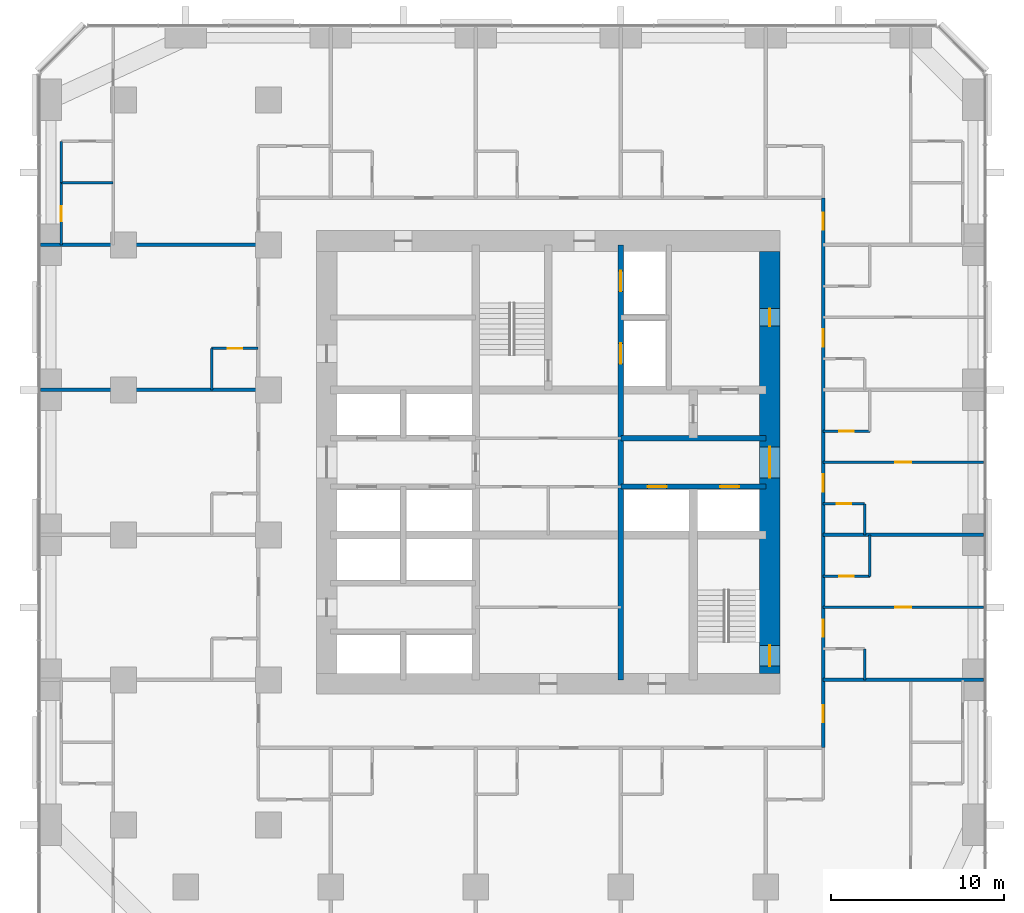
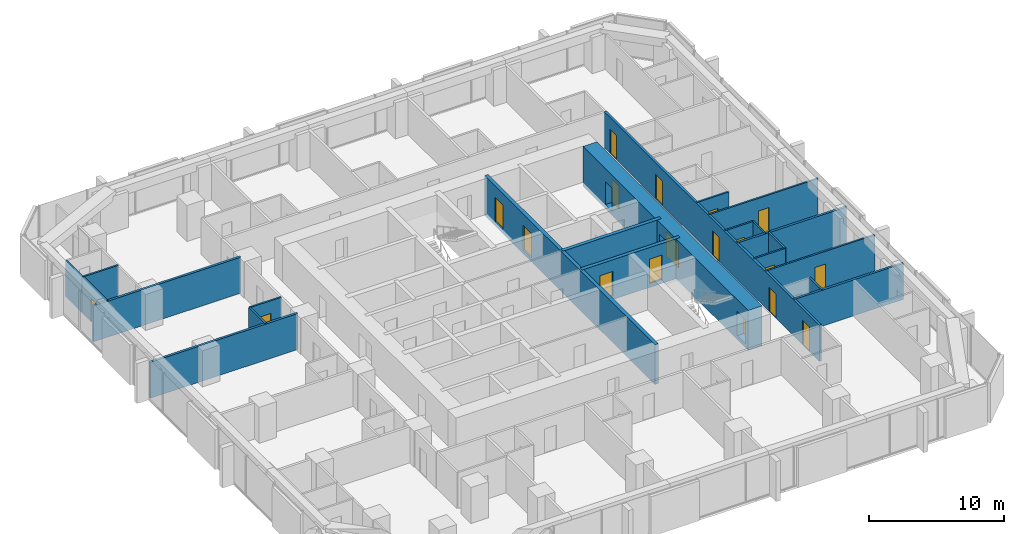
# One storey, part 10 of 13: 22 walls, 19 doors, 19 openings.
"""IFC4 building model written with IfcOpenShell, lengths in metres."""

from ifc_helpers import new_model, si_unit, direction, frame, frame_2d, origin, place, context, subcontext, project, spatial, rectangle, extrude, material, layer, layer_set, type_object, element, fill, save


model = new_model("IFC4")

# Units and contexts
model_context = context("Model", 3, precision=1e-05, world=origin(), true_north=direction((0.0, 1.0)))
body_context = subcontext(model_context, "Body", "Model", "MODEL_VIEW")
ifc_project = project(units=[si_unit("LENGTHUNIT", "METRE"), si_unit("AREAUNIT", "SQUARE_METRE"), si_unit("VOLUMEUNIT", "CUBIC_METRE"), si_unit("PLANEANGLEUNIT", "RADIAN"), si_unit("MASSUNIT", "GRAM", prefix="KILO")], contexts=[model_context])

# Site, building, storey
site_placement = place(None, origin())
site = spatial("IfcSite", under=ifc_project, at=site_placement, CompositionType="ELEMENT")
building_placement = place(site_placement, origin())
building = spatial("IfcBuilding", under=site, at=building_placement, Name="Dunama Terrace Hotel", CompositionType="ELEMENT")
storey_placement = place(building_placement, frame((0.0, 0.0, 111.60009765625)))
storey = spatial("IfcBuildingStorey", under=building, at=storey_placement, Name="L28", CompositionType="ELEMENT", Elevation=111.60009765625)

# Wall, opening, door
ifc_material_1 = material(Name="Gypsum board partition", Category="masonry")
ifc_layer_1 = layer(ifc_material_1, 0.14990234375)
ifc_layer_set_1 = layer_set([ifc_layer_1], Name="Bathroom partition 150")
wall_type_1 = type_object("IfcWallType", Name="Bathroom partition 150", PredefinedType="PARTITIONING", material=ifc_layer_set_1)
wall_1_placement = place(storey_placement, frame((1.199951171875, 42.0, 0.0), z_axis=(0.0, 0.0, 1.0), x_axis=(0.0, 1.0, 0.0)))
wall_1 = element("IfcWall", 1, at=wall_1_placement, inside=storey, type_object=wall_type_1, Name="Bathroom partition 150 L28", PredefinedType="PARTITIONING", context=body_context, shape_type="SweptSolid", body=[
    extrude(rectangle(XDim=3.60009765625, YDim=0.14990234375, at=frame_2d((1.800048828125, 0.0))), origin(), (0.0, 0.0, 1.0), 3.25),
])
opening_1_placement = place(wall_1_placement, frame((1.375, 0.0, 0.0)))
opening_1 = element("IfcOpeningElement", 2, at=opening_1_placement, cuts=wall_1, Name="Opening L28-29-059", PredefinedType="OPENING", context=body_context, shape_type="SweptSolid", body=[
    extrude(rectangle(XDim=0.85009765625, YDim=2.10009765625, at=frame_2d((0.425048828125, 1.050048828125))), frame((0.0, 0.0849609375, 0.0), z_axis=(0.0, -1.0, 0.0), x_axis=(1.0, 0.0, 0.0)), (0.0, 0.0, 1.0), 0.169921875),
])
ifc_material_2 = material(Name="Timber door with steel frame", Category="steel")
door_type_1 = type_object("IfcDoorType", Name="Bathroom door 850", OperationType="SINGLE_SWING_LEFT", PredefinedType="DOOR", material=ifc_material_2)
door_1_placement = place(opening_1_placement, frame((0.85009765625, 0.0, 0.0), z_axis=(0.0, 0.0, 1.0), x_axis=(-1.0, 0.0, 0.0)))
door_1 = element("IfcDoor", 3, at=door_1_placement, inside=storey, type_object=door_type_1, Name="Door to en-suite bathroom L28-29-059, type D2", OperationType="SINGLE_SWING_RIGHT", OverallHeight=2.10009765625, OverallWidth=0.85009765625, PredefinedType="DOOR", context=body_context, shape_type="SweptSolid", body=[
    extrude(rectangle(XDim=0.85009765625, YDim=2.10009765625, at=frame_2d((0.425048828125, 1.050048828125))), frame((0.0, 0.025146484375, 0.0), z_axis=(0.0, -1.0, 0.0), x_axis=(1.0, 0.0, 0.0)), (0.0, 0.0, 1.0), 0.050048828125),
])
fill(opening_1, door_1)

# Walls
wall_2_placement = place(storey_placement, frame((9.89990234375, 33.60009765625, 0.0), z_axis=(0.0, 0.0, 1.0), x_axis=(0.0, 1.0, 0.0)))
element("IfcWall", 4, at=wall_2_placement, inside=storey, type_object=wall_type_1, Name="Bathroom partition 150 L28", PredefinedType="PARTITIONING", context=body_context, shape_type="SweptSolid", body=[
    extrude(rectangle(XDim=2.39990234375, YDim=0.14990234375, at=frame_2d((1.199951171875, 0.0))), origin(), (0.0, 0.0, 1.0), 3.25),
])
for number, where, z_axis, x_axis, name in (
    (5, (47.72509765625, 16.800048828125, 0.0), (0.0, 0.0, 1.0), (0.0, 1.0, 0.0), "Bathroom partition 150 L28"),
    (6, (47.72509765625, 25.199951171875, 0.0), (0.0, 0.0, 1.0), (0.0, 1.0, 0.0), "Bathroom partition 150 L28"),
):
    element("IfcWall", number, at=place(storey_placement, frame(where, z_axis=z_axis, x_axis=x_axis)), inside=storey, type_object=wall_type_1, Name=name, PredefinedType="PARTITIONING", context=body_context, shape_type="SweptSolid", body=[
        extrude(rectangle(XDim=1.800048828125, YDim=0.14990234375, at=frame_2d((0.89990234375, 0.0))), origin(), (0.0, 0.0, 1.0), 3.25),
    ])
wall_3_placement = place(storey_placement, frame((48.02490234375, 22.800048828125, 0.0), z_axis=(0.0, 0.0, 1.0), x_axis=(0.0, 1.0, 0.0)))
element("IfcWall", 7, at=wall_3_placement, inside=storey, type_object=wall_type_1, Name="Bathroom partition 150 L28", PredefinedType="PARTITIONING", context=body_context, shape_type="SweptSolid", body=[
    extrude(rectangle(XDim=2.39990234375, YDim=0.14990234375, at=frame_2d((1.199951171875, 0.0))), origin(), (0.0, 0.0, 1.0), 3.25),
])

# Wall, opening, door
wall_4_placement = place(storey_placement, frame((45.324951171875, 22.800048828125, 0.0), z_axis=(0.0, 0.0, 1.0), x_axis=(1.0, 0.0, 0.0)))
wall_4 = element("IfcWall", 8, at=wall_4_placement, inside=storey, type_object=wall_type_1, Name="Bathroom partition 150 L28", PredefinedType="PARTITIONING", context=body_context, shape_type="SweptSolid", body=[
    extrude(rectangle(XDim=2.699951171875, YDim=0.14990234375, at=frame_2d((1.35009765625, 0.0))), origin(), (0.0, 0.0, 1.0), 3.25),
])
opening_2_placement = place(wall_4_placement, frame((0.925048828125, 0.0, 0.0)))
opening_2 = element("IfcOpeningElement", 9, at=opening_2_placement, cuts=wall_4, Name="Opening L28-29-020", PredefinedType="OPENING", context=body_context, shape_type="SweptSolid", body=[
    extrude(rectangle(XDim=0.85009765625, YDim=2.10009765625, at=frame_2d((0.425048828125, 1.050048828125))), frame((0.0, 0.0849609375, 0.0), z_axis=(0.0, -1.0, 0.0), x_axis=(1.0, 0.0, 0.0)), (0.0, 0.0, 1.0), 0.169921875),
])
door_2_placement = place(opening_2_placement, origin())
door_2 = element("IfcDoor", 10, at=door_2_placement, inside=storey, type_object=door_type_1, Name="Door to en-suite bathroom L28-29-020, type D2", OperationType="SINGLE_SWING_LEFT", OverallHeight=2.10009765625, OverallWidth=0.85009765625, PredefinedType="DOOR", context=body_context, shape_type="SweptSolid", body=[
    extrude(rectangle(XDim=0.85009765625, YDim=2.10009765625, at=frame_2d((0.425048828125, 1.050048828125))), frame((0.0, 0.02490234375, 0.0), z_axis=(0.0, -1.0, 0.0), x_axis=(1.0, 0.0, 0.0)), (0.0, 0.0, 1.0), 0.050048828125),
])
fill(opening_2, door_2)

wall_5_placement = place(storey_placement, frame((45.324951171875, 27.0, 0.0), z_axis=(0.0, 0.0, 1.0), x_axis=(1.0, 0.0, 0.0)))
wall_5 = element("IfcWall", 11, at=wall_5_placement, inside=storey, type_object=wall_type_1, Name="Bathroom partition 150 L28", PredefinedType="PARTITIONING", context=body_context, shape_type="SweptSolid", body=[
    extrude(rectangle(XDim=2.400146484375, YDim=0.14990234375, at=frame_2d((1.2001953125, 0.0))), origin(), (0.0, 0.0, 1.0), 3.25),
])
opening_3_placement = place(wall_5_placement, frame((0.77490234375, 0.0, 0.0)))
opening_3 = element("IfcOpeningElement", 12, at=opening_3_placement, cuts=wall_5, Name="Opening L28-29-022", PredefinedType="OPENING", context=body_context, shape_type="SweptSolid", body=[
    extrude(rectangle(XDim=0.85009765625, YDim=2.10009765625, at=frame_2d((0.425048828125, 1.050048828125))), frame((0.0, 0.0849609375, 0.0), z_axis=(0.0, -1.0, 0.0), x_axis=(1.0, 0.0, 0.0)), (0.0, 0.0, 1.0), 0.169921875),
])
door_3_placement = place(opening_3_placement, frame((0.85009765625, 0.0, 0.0), z_axis=(0.0, 0.0, 1.0), x_axis=(-1.0, 0.0, 0.0)))
door_3 = element("IfcDoor", 13, at=door_3_placement, inside=storey, type_object=door_type_1, Name="Door to powder room L28-29-022, type D2", OperationType="SINGLE_SWING_RIGHT", OverallHeight=2.10009765625, OverallWidth=0.85009765625, PredefinedType="DOOR", context=body_context, shape_type="SweptSolid", body=[
    extrude(rectangle(XDim=0.85009765625, YDim=2.10009765625, at=frame_2d((0.425048828125, 1.050048828125))), frame((0.0, 0.025146484375, 0.0), z_axis=(0.0, -1.0, 0.0), x_axis=(1.0, 0.0, 0.0)), (0.0, 0.0, 1.0), 0.050048828125),
])
fill(opening_3, door_3)

wall_6_placement = place(storey_placement, frame((45.324951171875, 31.199951171875, 0.0), z_axis=(0.0, 0.0, 1.0), x_axis=(1.0, 0.0, 0.0)))
wall_6 = element("IfcWall", 14, at=wall_6_placement, inside=storey, type_object=wall_type_1, Name="Bathroom partition 150 L28", PredefinedType="PARTITIONING", context=body_context, shape_type="SweptSolid", body=[
    extrude(rectangle(XDim=2.699951171875, YDim=0.14990234375, at=frame_2d((1.35009765625, 0.0))), origin(), (0.0, 0.0, 1.0), 3.25),
])
opening_4_placement = place(wall_6_placement, frame((0.925048828125, 0.0, 0.0)))
opening_4 = element("IfcOpeningElement", 15, at=opening_4_placement, cuts=wall_6, Name="Opening L28-29-024", PredefinedType="OPENING", context=body_context, shape_type="SweptSolid", body=[
    extrude(rectangle(XDim=0.85009765625, YDim=2.10009765625, at=frame_2d((0.425048828125, 1.050048828125))), frame((0.0, 0.0849609375, 0.0), z_axis=(0.0, -1.0, 0.0), x_axis=(1.0, 0.0, 0.0)), (0.0, 0.0, 1.0), 0.169921875),
])
door_4_placement = place(opening_4_placement, origin())
door_4 = element("IfcDoor", 16, at=door_4_placement, inside=storey, type_object=door_type_1, Name="Door to en-suite bathroom L28-29-024, type D2", OperationType="SINGLE_SWING_LEFT", OverallHeight=2.10009765625, OverallWidth=0.85009765625, PredefinedType="DOOR", context=body_context, shape_type="SweptSolid", body=[
    extrude(rectangle(XDim=0.85009765625, YDim=2.10009765625, at=frame_2d((0.425048828125, 1.050048828125))), frame((0.0, 0.02490234375, 0.0), z_axis=(0.0, -1.0, 0.0), x_axis=(1.0, 0.0, 0.0)), (0.0, 0.0, 1.0), 0.050048828125),
])
fill(opening_4, door_4)

wall_7_placement = place(storey_placement, frame((9.89990234375, 36.0, 0.0), z_axis=(0.0, 0.0, 1.0), x_axis=(1.0, 0.0, 0.0)))
wall_7 = element("IfcWall", 17, at=wall_7_placement, inside=storey, type_object=wall_type_1, Name="Bathroom partition 150 L28", PredefinedType="PARTITIONING", context=body_context, shape_type="SweptSolid", body=[
    extrude(rectangle(XDim=2.7001953125, YDim=0.14990234375, at=frame_2d((1.35009765625, 0.0))), origin(), (0.0, 0.0, 1.0), 3.25),
])
opening_5_placement = place(wall_7_placement, frame((0.925048828125, 0.0, 0.0)))
opening_5 = element("IfcOpeningElement", 18, at=opening_5_placement, cuts=wall_7, Name="Opening L28-29-040", PredefinedType="OPENING", context=body_context, shape_type="SweptSolid", body=[
    extrude(rectangle(XDim=0.85009765625, YDim=2.10009765625, at=frame_2d((0.425048828125, 1.050048828125))), frame((0.0, 0.0849609375, 0.0), z_axis=(0.0, -1.0, 0.0), x_axis=(1.0, 0.0, 0.0)), (0.0, 0.0, 1.0), 0.169921875),
])
door_5_placement = place(opening_5_placement, frame((0.85009765625, 0.0, 0.0), z_axis=(0.0, 0.0, 1.0), x_axis=(-1.0, 0.0, 0.0)))
door_5 = element("IfcDoor", 19, at=door_5_placement, inside=storey, type_object=door_type_1, Name="Door to en-suite bathroom L28-29-040, type D2", OperationType="SINGLE_SWING_LEFT", OverallHeight=2.10009765625, OverallWidth=0.85009765625, PredefinedType="DOOR", context=body_context, shape_type="SweptSolid", body=[
    extrude(rectangle(XDim=0.85009765625, YDim=2.10009765625, at=frame_2d((0.425048828125, 1.050048828125))), frame((0.0, 0.025146484375, 0.0), z_axis=(0.0, -1.0, 0.0), x_axis=(1.0, 0.0, 0.0)), (0.0, 0.0, 1.0), 0.050048828125),
])
fill(opening_5, door_5)

# Wall, openings, doors
ifc_material_3 = material(Name="Concrete C50/60", Category="concrete")
ifc_layer_2 = layer(ifc_material_3, 0.300048828125)
ifc_layer_set_2 = layer_set([ifc_layer_2], Name="Core inner wall 300")
wall_type_2 = type_object("IfcWallType", Name="Core inner wall 300", PredefinedType="SHEAR", material=ifc_layer_set_2)
wall_8_placement = place(storey_placement, frame((33.60009765625, 16.800048828125, -0.35009765625), z_axis=(0.0, 0.0, 1.0), x_axis=(0.0, 1.0, 0.0)))
wall_8 = element("IfcWall", 20, at=wall_8_placement, inside=storey, type_object=wall_type_2, Name="Core inner wall 300 L28", PredefinedType="SHEAR", context=body_context, shape_type="SweptSolid", body=[
    extrude(rectangle(XDim=25.199951171875, YDim=0.300048828125, at=frame_2d((12.60009765625, 0.0))), origin(), (0.0, 0.0, 1.0), 3.60009765625),
])
opening_6_placement = place(wall_8_placement, frame((22.5, 0.0, 0.35009765625)))
opening_6 = element("IfcOpeningElement", 21, at=opening_6_placement, cuts=wall_8, Name="Opening L28-29-009", PredefinedType="OPENING", context=body_context, shape_type="SweptSolid", body=[
    extrude(rectangle(XDim=1.199951171875, YDim=2.199951171875, at=frame_2d((0.60009765625, 1.10009765625))), frame((0.0, 0.159912109375, 0.0), z_axis=(0.0, -1.0, 0.0), x_axis=(1.0, 0.0, 0.0)), (0.0, 0.0, 1.0), 0.320068359375),
])
opening_7_placement = place(wall_8_placement, frame((18.300048828125, 0.0, 0.35009765625)))
opening_7 = element("IfcOpeningElement", 22, at=opening_7_placement, cuts=wall_8, Name="Opening L28-29-010", PredefinedType="OPENING", context=body_context, shape_type="SweptSolid", body=[
    extrude(rectangle(XDim=1.199951171875, YDim=2.199951171875, at=frame_2d((0.60009765625, 1.10009765625))), frame((0.0, 0.159912109375, 0.0), z_axis=(0.0, -1.0, 0.0), x_axis=(1.0, 0.0, 0.0)), (0.0, 0.0, 1.0), 0.320068359375),
])
ifc_material_4 = material(Name="Stainless steel lift door", Category="steel")
door_type_2 = type_object("IfcDoorType", Name="Firefighting lift landing door 1200", OperationType="DOUBLE_DOOR_SLIDING", PredefinedType="DOOR", material=ifc_material_4)
door_6_placement = place(opening_6_placement, origin())
door_6 = element("IfcDoor", 23, at=door_6_placement, inside=storey, type_object=door_type_2, Name="Landing door FL1 L28-29-009, type LD2", OperationType="DOUBLE_DOOR_SLIDING", OverallHeight=2.199951171875, OverallWidth=1.199951171875, PredefinedType="DOOR", context=body_context, shape_type="SweptSolid", body=[
    extrude(rectangle(XDim=1.199951171875, YDim=2.199951171875, at=frame_2d((0.60009765625, 1.10009765625))), frame((0.0, 0.02490234375, 0.0), z_axis=(0.0, -1.0, 0.0), x_axis=(1.0, 0.0, 0.0)), (0.0, 0.0, 1.0), 0.050048828125),
])
fill(opening_6, door_6)
door_7_placement = place(opening_7_placement, origin())
door_7 = element("IfcDoor", 24, at=door_7_placement, inside=storey, type_object=door_type_2, Name="Landing door FL2 L28-29-010, type LD2", OperationType="DOUBLE_DOOR_SLIDING", OverallHeight=2.199951171875, OverallWidth=1.199951171875, PredefinedType="DOOR", context=body_context, shape_type="SweptSolid", body=[
    extrude(rectangle(XDim=1.199951171875, YDim=2.199951171875, at=frame_2d((0.60009765625, 1.10009765625))), frame((0.0, 0.02490234375, 0.0), z_axis=(0.0, -1.0, 0.0), x_axis=(1.0, 0.0, 0.0)), (0.0, 0.0, 1.0), 0.050048828125),
])
fill(opening_7, door_7)

wall_9_placement = place(storey_placement, frame((33.60009765625, 28.0, -0.35009765625), z_axis=(0.0, 0.0, 1.0), x_axis=(1.0, 0.0, 0.0)))
wall_9 = element("IfcWall", 25, at=wall_9_placement, inside=storey, type_object=wall_type_2, Name="Core inner wall 300 L28", PredefinedType="SHEAR", context=body_context, shape_type="SweptSolid", body=[
    extrude(rectangle(XDim=8.39990234375, YDim=0.300048828125, at=frame_2d((4.199951171875, 0.0))), origin(), (0.0, 0.0, 1.0), 3.60009765625),
])
opening_8_placement = place(wall_9_placement, frame((1.550048828125, 0.0, 0.35009765625)))
opening_8 = element("IfcOpeningElement", 26, at=opening_8_placement, cuts=wall_9, Name="Opening L28-29-003", PredefinedType="OPENING", context=body_context, shape_type="SweptSolid", body=[
    extrude(rectangle(XDim=1.10009765625, YDim=2.199951171875, at=frame_2d((0.550048828125, 1.10009765625))), frame((0.0, 0.159912109375, 0.0), z_axis=(0.0, -1.0, 0.0), x_axis=(1.0, 0.0, 0.0)), (0.0, 0.0, 1.0), 0.320068359375),
])
opening_9_placement = place(wall_9_placement, frame((5.75, 0.0, 0.35009765625)))
opening_9 = element("IfcOpeningElement", 27, at=opening_9_placement, cuts=wall_9, Name="Opening L28-29-004", PredefinedType="OPENING", context=body_context, shape_type="SweptSolid", body=[
    extrude(rectangle(XDim=1.10009765625, YDim=2.199951171875, at=frame_2d((0.550048828125, 1.10009765625))), frame((0.0, 0.159912109375, 0.0), z_axis=(0.0, -1.0, 0.0), x_axis=(1.0, 0.0, 0.0)), (0.0, 0.0, 1.0), 0.320068359375),
])
ifc_material_5 = material(Name="Stainless steel lift door", Category="steel")
door_type_3 = type_object("IfcDoorType", Name="Lift landing door 1100", OperationType="DOUBLE_DOOR_SLIDING", PredefinedType="DOOR", material=ifc_material_5)
door_8_placement = place(opening_8_placement, origin())
door_8 = element("IfcDoor", 28, at=door_8_placement, inside=storey, type_object=door_type_3, Name="Landing door PB1 L28-29-003, type LD1", OperationType="DOUBLE_DOOR_SLIDING", OverallHeight=2.199951171875, OverallWidth=1.10009765625, PredefinedType="DOOR", context=body_context, shape_type="SweptSolid", body=[
    extrude(rectangle(XDim=1.10009765625, YDim=2.199951171875, at=frame_2d((0.550048828125, 1.10009765625))), frame((0.0, 0.02490234375, 0.0), z_axis=(0.0, -1.0, 0.0), x_axis=(1.0, 0.0, 0.0)), (0.0, 0.0, 1.0), 0.050048828125),
])
fill(opening_8, door_8)
door_9_placement = place(opening_9_placement, origin())
door_9 = element("IfcDoor", 29, at=door_9_placement, inside=storey, type_object=door_type_3, Name="Landing door PB2 L28-29-004, type LD1", OperationType="DOUBLE_DOOR_SLIDING", OverallHeight=2.199951171875, OverallWidth=1.10009765625, PredefinedType="DOOR", context=body_context, shape_type="SweptSolid", body=[
    extrude(rectangle(XDim=1.10009765625, YDim=2.199951171875, at=frame_2d((0.550048828125, 1.10009765625))), frame((0.0, 0.02490234375, 0.0), z_axis=(0.0, -1.0, 0.0), x_axis=(1.0, 0.0, 0.0)), (0.0, 0.0, 1.0), 0.050048828125),
])
fill(opening_9, door_9)

# Wall
wall_10_placement = place(storey_placement, frame((33.60009765625, 30.800048828125, -0.35009765625), z_axis=(0.0, 0.0, 1.0), x_axis=(1.0, 0.0, 0.0)))
element("IfcWall", 30, at=wall_10_placement, inside=storey, type_object=wall_type_2, Name="Core inner wall 300 L28", PredefinedType="SHEAR", context=body_context, shape_type="SweptSolid", body=[
    extrude(rectangle(XDim=8.39990234375, YDim=0.300048828125, at=frame_2d((4.199951171875, 0.0))), origin(), (0.0, 0.0, 1.0), 3.60009765625),
])

# Wall, openings, doors
ifc_material_6 = material(Name="Concrete C60/75", Category="concrete")
ifc_layer_3 = layer(ifc_material_6, 1.199951171875)
ifc_layer_set_3 = layer_set([ifc_layer_3], Name="Core wall 1200")
wall_type_3 = type_object("IfcWallType", Name="Core wall 1200", PredefinedType="SHEAR", material=ifc_layer_set_3)
wall_11_placement = place(storey_placement, frame((42.22509765625, 17.175048828125, -0.35009765625), z_axis=(0.0, 0.0, 1.0), x_axis=(0.0, 1.0, 0.0)))
wall_11 = element("IfcWall", 31, at=wall_11_placement, inside=storey, type_object=wall_type_3, Name="Core wall east L28", PredefinedType="SHEAR", context=body_context, shape_type="SweptSolid", body=[
    extrude(rectangle(XDim=24.449951171875, YDim=1.199951171875, at=frame_2d((12.22509765625, 0.0))), origin(), (0.0, 0.0, 1.0), 3.60009765625),
])
opening_10_placement = place(wall_11_placement, frame((0.425048828125, 0.0, 0.35009765625)))
opening_10 = element("IfcOpeningElement", 32, at=opening_10_placement, cuts=wall_11, Name="Opening L28-29-002", PredefinedType="OPENING", context=body_context, shape_type="SweptSolid", body=[
    extrude(rectangle(XDim=1.199951171875, YDim=2.199951171875, at=frame_2d((0.60009765625, 1.10009765625))), frame((0.0, 0.60986328125, 0.0), z_axis=(0.0, -1.0, 0.0), x_axis=(1.0, 0.0, 0.0)), (0.0, 0.0, 1.0), 1.219970703125),
])
opening_11_placement = place(wall_11_placement, frame((11.324951171875, 0.0, 0.35009765625)))
opening_11 = element("IfcOpeningElement", 33, at=opening_11_placement, cuts=wall_11, Name="Opening L28-29-071", PredefinedType="OPENING", context=body_context, shape_type="SweptSolid", body=[
    extrude(rectangle(XDim=1.800048828125, YDim=2.199951171875, at=frame_2d((0.89990234375, 1.10009765625))), frame((0.0, 0.60986328125, 0.0), z_axis=(0.0, -1.0, 0.0), x_axis=(1.0, 0.0, 0.0)), (0.0, 0.0, 1.0), 1.219970703125),
])
opening_12_placement = place(wall_11_placement, frame((20.125, 0.0, 0.35009765625)))
opening_12 = element("IfcOpeningElement", 34, at=opening_12_placement, cuts=wall_11, Name="Opening L28-29-073", PredefinedType="OPENING", context=body_context, shape_type="SweptSolid", body=[
    extrude(rectangle(XDim=1.0, YDim=2.10009765625, at=frame_2d((0.5, 1.050048828125))), frame((0.0, 0.60986328125, 0.0), z_axis=(0.0, -1.0, 0.0), x_axis=(1.0, 0.0, 0.0)), (0.0, 0.0, 1.0), 1.219970703125),
])
ifc_material_7 = material(Name="Timber door with steel frame", Category="steel")
door_type_4 = type_object("IfcDoorType", Name="Lift lobby double door 1800", OperationType="DOUBLE_DOOR_DOUBLE_SWING", PredefinedType="DOOR", material=ifc_material_7)
door_10_placement = place(opening_11_placement, origin())
door_10 = element("IfcDoor", 35, at=door_10_placement, inside=storey, type_object=door_type_4, Name="Door to lift lobby L28-29-071, type D3", OperationType="DOUBLE_DOOR_DOUBLE_SWING", OverallHeight=2.199951171875, OverallWidth=1.800048828125, PredefinedType="DOOR", context=body_context, shape_type="SweptSolid", body=[
    extrude(rectangle(XDim=1.800048828125, YDim=2.199951171875, at=frame_2d((0.89990234375, 1.10009765625))), frame((0.0, 0.02490234375, 0.0), z_axis=(0.0, -1.0, 0.0), x_axis=(1.0, 0.0, 0.0)), (0.0, 0.0, 1.0), 0.050048828125),
])
fill(opening_11, door_10)
ifc_material_8 = material(Name="Timber door with steel frame", Category="steel")
door_type_5 = type_object("IfcDoorType", Name="Service door 1000", OperationType="SINGLE_SWING_LEFT", PredefinedType="DOOR", material=ifc_material_8)
door_11_placement = place(opening_12_placement, origin())
door_11 = element("IfcDoor", 36, at=door_11_placement, inside=storey, type_object=door_type_5, Name="Door to linen store L28-29-073, type D7", OperationType="SINGLE_SWING_LEFT", OverallHeight=2.10009765625, OverallWidth=1.0, PredefinedType="DOOR", context=body_context, shape_type="SweptSolid", body=[
    extrude(rectangle(XDim=1.0, YDim=2.10009765625, at=frame_2d((0.5, 1.050048828125))), frame((0.0, 0.02490234375, 0.0), z_axis=(0.0, -1.0, 0.0), x_axis=(1.0, 0.0, 0.0)), (0.0, 0.0, 1.0), 0.050048828125),
])
fill(opening_12, door_11)
ifc_material_9 = material(Name="Timber door with steel frame", Category="steel")
door_type_6 = type_object("IfcDoorType", Name="Stair door 1200", OperationType="SINGLE_SWING_LEFT", PredefinedType="DOOR", material=ifc_material_9)
door_12_placement = place(opening_10_placement, origin())
door_12 = element("IfcDoor", 37, at=door_12_placement, inside=storey, type_object=door_type_6, Name="Stair door ST2 L28-29-002, type D5", OperationType="SINGLE_SWING_LEFT", OverallHeight=2.199951171875, OverallWidth=1.199951171875, PredefinedType="DOOR", context=body_context, shape_type="SweptSolid", body=[
    extrude(rectangle(XDim=1.199951171875, YDim=2.199951171875, at=frame_2d((0.60009765625, 1.10009765625))), frame((0.0, 0.02490234375, 0.0), z_axis=(0.0, -1.0, 0.0), x_axis=(1.0, 0.0, 0.0)), (0.0, 0.0, 1.0), 0.050048828125),
])
fill(opening_10, door_12)

ifc_material_10 = material(Name="Concrete blockwork", Category="masonry")
ifc_layer_4 = layer(ifc_material_10, 0.199951171875)
ifc_layer_set_4 = layer_set([ifc_layer_4], Name="Corridor partition 200")
wall_type_4 = type_object("IfcWallType", Name="Corridor partition 200", PredefinedType="PARTITIONING", material=ifc_layer_set_4)
wall_12_placement = place(storey_placement, frame((45.324951171875, 44.72509765625, 0.0), z_axis=(0.0, 0.0, 1.0), x_axis=(0.0, -1.0, 0.0)))
wall_12 = element("IfcWall", 38, at=wall_12_placement, inside=storey, type_object=wall_type_4, Name="Corridor partition 200 L28", PredefinedType="PARTITIONING", context=body_context, shape_type="SweptSolid", body=[
    extrude(rectangle(XDim=31.85009765625, YDim=0.199951171875, at=frame_2d((15.925048828125, 0.0))), origin(), (0.0, 0.0, 1.0), 3.25),
])
opening_13_placement = place(wall_12_placement, frame((24.425048828125, 0.0, 0.0)))
opening_13 = element("IfcOpeningElement", 39, at=opening_13_placement, cuts=wall_12, Name="Opening L28-29-017", PredefinedType="OPENING", context=body_context, shape_type="SweptSolid", body=[
    extrude(rectangle(XDim=1.0, YDim=2.199951171875, at=frame_2d((0.5, 1.10009765625))), frame((0.0, 0.10986328125, 0.0), z_axis=(0.0, -1.0, 0.0), x_axis=(1.0, 0.0, 0.0)), (0.0, 0.0, 1.0), 0.219970703125),
])
opening_14_placement = place(wall_12_placement, frame((16.02490234375, 0.0, 0.0)))
opening_14 = element("IfcOpeningElement", 40, at=opening_14_placement, cuts=wall_12, Name="Opening L28-29-021", PredefinedType="OPENING", context=body_context, shape_type="SweptSolid", body=[
    extrude(rectangle(XDim=1.0, YDim=2.199951171875, at=frame_2d((0.5, 1.10009765625))), frame((0.0, 0.10986328125, 0.0), z_axis=(0.0, -1.0, 0.0), x_axis=(1.0, 0.0, 0.0)), (0.0, 0.0, 1.0), 0.219970703125),
])
opening_15_placement = place(wall_12_placement, frame((7.625, 0.0, 0.0)))
opening_15 = element("IfcOpeningElement", 41, at=opening_15_placement, cuts=wall_12, Name="Opening L28-29-025", PredefinedType="OPENING", context=body_context, shape_type="SweptSolid", body=[
    extrude(rectangle(XDim=1.0, YDim=2.199951171875, at=frame_2d((0.5, 1.10009765625))), frame((0.0, 0.10986328125, 0.0), z_axis=(0.0, -1.0, 0.0), x_axis=(1.0, 0.0, 0.0)), (0.0, 0.0, 1.0), 0.219970703125),
])
opening_16_placement = place(wall_12_placement, frame((29.386962890625, 0.0, 0.0)))
opening_16 = element("IfcOpeningElement", 42, at=opening_16_placement, cuts=wall_12, Name="Opening L28-29-046", PredefinedType="OPENING", context=body_context, shape_type="SweptSolid", body=[
    extrude(rectangle(XDim=1.0, YDim=2.199951171875, at=frame_2d((0.5, 1.10009765625))), frame((0.0, 0.10986328125, 0.0), z_axis=(0.0, -1.0, 0.0), x_axis=(1.0, 0.0, 0.0)), (0.0, 0.0, 1.0), 0.219970703125),
])
opening_17_placement = place(wall_12_placement, frame((0.863037109375, 0.0, 0.0)))
opening_17 = element("IfcOpeningElement", 43, at=opening_17_placement, cuts=wall_12, Name="Opening L28-29-051", PredefinedType="OPENING", context=body_context, shape_type="SweptSolid", body=[
    extrude(rectangle(XDim=1.0, YDim=2.199951171875, at=frame_2d((0.5, 1.10009765625))), frame((0.0, 0.10986328125, 0.0), z_axis=(0.0, -1.0, 0.0), x_axis=(1.0, 0.0, 0.0)), (0.0, 0.0, 1.0), 0.219970703125),
])
ifc_material_11 = material(Name="Timber door with steel frame", Category="steel")
door_type_7 = type_object("IfcDoorType", Name="Guest room door 1000", OperationType="SINGLE_SWING_LEFT", PredefinedType="DOOR", material=ifc_material_11)
door_13_placement = place(opening_13_placement, origin())
door_13 = element("IfcDoor", 44, at=door_13_placement, inside=storey, type_object=door_type_7, Name="Door to premier suite living room L28-29-017, type D1", OperationType="SINGLE_SWING_RIGHT", OverallHeight=2.199951171875, OverallWidth=1.0, PredefinedType="DOOR", context=body_context, shape_type="SweptSolid", body=[
    extrude(rectangle(XDim=1.0, YDim=2.199951171875, at=frame_2d((0.5, 1.10009765625))), frame((0.0, 0.02490234375, 0.0), z_axis=(0.0, -1.0, 0.0), x_axis=(1.0, 0.0, 0.0)), (0.0, 0.0, 1.0), 0.050048828125),
])
fill(opening_13, door_13)
door_14_placement = place(opening_14_placement, origin())
door_14 = element("IfcDoor", 45, at=door_14_placement, inside=storey, type_object=door_type_7, Name="Door to premier suite living room L28-29-021, type D1", OperationType="SINGLE_SWING_LEFT", OverallHeight=2.199951171875, OverallWidth=1.0, PredefinedType="DOOR", context=body_context, shape_type="SweptSolid", body=[
    extrude(rectangle(XDim=1.0, YDim=2.199951171875, at=frame_2d((0.5, 1.10009765625))), frame((0.0, 0.02490234375, 0.0), z_axis=(0.0, -1.0, 0.0), x_axis=(1.0, 0.0, 0.0)), (0.0, 0.0, 1.0), 0.050048828125),
])
fill(opening_14, door_14)
door_15_placement = place(opening_15_placement, origin())
door_15 = element("IfcDoor", 46, at=door_15_placement, inside=storey, type_object=door_type_7, Name="Door to premier suite living room L28-29-025, type D1", OperationType="SINGLE_SWING_LEFT", OverallHeight=2.199951171875, OverallWidth=1.0, PredefinedType="DOOR", context=body_context, shape_type="SweptSolid", body=[
    extrude(rectangle(XDim=1.0, YDim=2.199951171875, at=frame_2d((0.5, 1.10009765625))), frame((0.0, 0.02490234375, 0.0), z_axis=(0.0, -1.0, 0.0), x_axis=(1.0, 0.0, 0.0)), (0.0, 0.0, 1.0), 0.050048828125),
])
fill(opening_15, door_15)
door_16_placement = place(opening_16_placement, origin())
door_16 = element("IfcDoor", 47, at=door_16_placement, inside=storey, type_object=door_type_7, Name="Door to corner suite living room L28-29-046, type D1", OperationType="SINGLE_SWING_LEFT", OverallHeight=2.199951171875, OverallWidth=1.0, PredefinedType="DOOR", context=body_context, shape_type="SweptSolid", body=[
    extrude(rectangle(XDim=1.0, YDim=2.199951171875, at=frame_2d((0.5, 1.10009765625))), frame((0.0, 0.02490234375, 0.0), z_axis=(0.0, -1.0, 0.0), x_axis=(1.0, 0.0, 0.0)), (0.0, 0.0, 1.0), 0.050048828125),
])
fill(opening_16, door_16)
door_17_placement = place(opening_17_placement, origin())
door_17 = element("IfcDoor", 48, at=door_17_placement, inside=storey, type_object=door_type_7, Name="Door to corner suite living room L28-29-051, type D1", OperationType="SINGLE_SWING_RIGHT", OverallHeight=2.199951171875, OverallWidth=1.0, PredefinedType="DOOR", context=body_context, shape_type="SweptSolid", body=[
    extrude(rectangle(XDim=1.0, YDim=2.199951171875, at=frame_2d((0.5, 1.10009765625))), frame((0.0, 0.02490234375, 0.0), z_axis=(0.0, -1.0, 0.0), x_axis=(1.0, 0.0, 0.0)), (0.0, 0.0, 1.0), 0.050048828125),
])
fill(opening_17, door_17)

# Walls
ifc_material_12 = material(Name="Concrete blockwork", Category="masonry")
ifc_layer_5 = layer(ifc_material_12, 0.199951171875)
ifc_layer_set_5 = layer_set([ifc_layer_5], Name="Party wall 200")
wall_type_5 = type_object("IfcWallType", Name="Party wall 200", PredefinedType="PARTITIONING", material=ifc_layer_set_5)
for number, where, z_axis, x_axis, name in (
    (49, (45.324951171875, 16.800048828125, 0.0), (0.0, 0.0, 1.0), (1.0, 0.0, 0.0), "Party wall 200 L28"),
    (50, (45.324951171875, 25.199951171875, 0.0), (0.0, 0.0, 1.0), (1.0, 0.0, 0.0), "Party wall 200 L28"),
):
    element("IfcWall", number, at=place(storey_placement, frame(where, z_axis=z_axis, x_axis=x_axis)), inside=storey, type_object=wall_type_5, Name=name, PredefinedType="PARTITIONING", context=body_context, shape_type="SweptSolid", body=[
        extrude(rectangle(XDim=9.29296875, YDim=0.199951171875, at=frame_2d((4.646484375, 0.0))), origin(), (0.0, 0.0, 1.0), 3.25),
    ])
for number, where, z_axis, x_axis, name in (
    (51, (-0.01806640625, 33.60009765625, 0.0), (0.0, 0.0, 1.0), (1.0, 0.0, 0.0), "Party wall 200 L28"),
    (52, (-0.01806640625, 42.0, 0.0), (0.0, 0.0, 1.0), (1.0, 0.0, 0.0), "Party wall 200 L28"),
):
    element("IfcWall", number, at=place(storey_placement, frame(where, z_axis=z_axis, x_axis=x_axis)), inside=storey, type_object=wall_type_5, Name=name, PredefinedType="PARTITIONING", context=body_context, shape_type="SweptSolid", body=[
        extrude(rectangle(XDim=12.6181640625, YDim=0.199951171875, at=frame_2d((6.30908203125, 0.0))), origin(), (0.0, 0.0, 1.0), 3.25),
    ])
ifc_material_13 = material(Name="Gypsum board partition", Category="masonry")
ifc_layer_6 = layer(ifc_material_13, 0.14990234375)
ifc_layer_set_6 = layer_set([ifc_layer_6], Name="Room partition 150")
wall_type_6 = type_object("IfcWallType", Name="Room partition 150", PredefinedType="PARTITIONING", material=ifc_layer_set_6)
wall_13_placement = place(storey_placement, frame((1.199951171875, 45.60009765625, 0.0), z_axis=(0.0, 0.0, 1.0), x_axis=(0.0, 1.0, 0.0)))
element("IfcWall", 53, at=wall_13_placement, inside=storey, type_object=wall_type_6, Name="Room partition 150 L28", PredefinedType="PARTITIONING", context=body_context, shape_type="SweptSolid", body=[
    extrude(rectangle(XDim=2.39990234375, YDim=0.14990234375, at=frame_2d((1.199951171875, 0.0))), origin(), (0.0, 0.0, 1.0), 3.25),
])

# Wall, opening, door
wall_14_placement = place(storey_placement, frame((45.324951171875, 21.0, 0.0), z_axis=(0.0, 0.0, 1.0), x_axis=(1.0, 0.0, 0.0)))
wall_14 = element("IfcWall", 54, at=wall_14_placement, inside=storey, type_object=wall_type_6, Name="Room partition 150 L28", PredefinedType="PARTITIONING", context=body_context, shape_type="SweptSolid", body=[
    extrude(rectangle(XDim=9.29296875, YDim=0.14990234375, at=frame_2d((4.646484375, 0.0))), origin(), (0.0, 0.0, 1.0), 3.25),
])
opening_18_placement = place(wall_14_placement, frame((4.18798828125, 0.0, 0.0)))
opening_18 = element("IfcOpeningElement", 55, at=opening_18_placement, cuts=wall_14, Name="Opening L28-29-019", PredefinedType="OPENING", context=body_context, shape_type="SweptSolid", body=[
    extrude(rectangle(XDim=0.89990234375, YDim=2.10009765625, at=frame_2d((0.449951171875, 1.050048828125))), frame((0.0, 0.0849609375, 0.0), z_axis=(0.0, -1.0, 0.0), x_axis=(1.0, 0.0, 0.0)), (0.0, 0.0, 1.0), 0.169921875),
])
ifc_material_14 = material(Name="Timber door with steel frame", Category="steel")
door_type_8 = type_object("IfcDoorType", Name="Suite internal door 900", OperationType="SINGLE_SWING_LEFT", PredefinedType="DOOR", material=ifc_material_14)
door_18_placement = place(opening_18_placement, origin())
door_18 = element("IfcDoor", 56, at=door_18_placement, inside=storey, type_object=door_type_8, Name="Door to premier suite bedroom L28-29-019, type D16", OperationType="SINGLE_SWING_LEFT", OverallHeight=2.10009765625, OverallWidth=0.89990234375, PredefinedType="DOOR", context=body_context, shape_type="SweptSolid", body=[
    extrude(rectangle(XDim=0.89990234375, YDim=2.10009765625, at=frame_2d((0.449951171875, 1.050048828125))), frame((0.0, 0.02490234375, 0.0), z_axis=(0.0, -1.0, 0.0), x_axis=(1.0, 0.0, 0.0)), (0.0, 0.0, 1.0), 0.050048828125),
])
fill(opening_18, door_18)

wall_15_placement = place(storey_placement, frame((45.324951171875, 29.39990234375, 0.0), z_axis=(0.0, 0.0, 1.0), x_axis=(1.0, 0.0, 0.0)))
wall_15 = element("IfcWall", 57, at=wall_15_placement, inside=storey, type_object=wall_type_6, Name="Room partition 150 L28", PredefinedType="PARTITIONING", context=body_context, shape_type="SweptSolid", body=[
    extrude(rectangle(XDim=9.29296875, YDim=0.14990234375, at=frame_2d((4.646484375, 0.0))), origin(), (0.0, 0.0, 1.0), 3.25),
])
opening_19_placement = place(wall_15_placement, frame((4.18798828125, 0.0, 0.0)))
opening_19 = element("IfcOpeningElement", 58, at=opening_19_placement, cuts=wall_15, Name="Opening L28-29-023", PredefinedType="OPENING", context=body_context, shape_type="SweptSolid", body=[
    extrude(rectangle(XDim=0.89990234375, YDim=2.10009765625, at=frame_2d((0.449951171875, 1.050048828125))), frame((0.0, 0.0849609375, 0.0), z_axis=(0.0, -1.0, 0.0), x_axis=(1.0, 0.0, 0.0)), (0.0, 0.0, 1.0), 0.169921875),
])
door_19_placement = place(opening_19_placement, origin())
door_19 = element("IfcDoor", 59, at=door_19_placement, inside=storey, type_object=door_type_8, Name="Door to premier suite bedroom L28-29-023, type D16", OperationType="SINGLE_SWING_LEFT", OverallHeight=2.10009765625, OverallWidth=0.89990234375, PredefinedType="DOOR", context=body_context, shape_type="SweptSolid", body=[
    extrude(rectangle(XDim=0.89990234375, YDim=2.10009765625, at=frame_2d((0.449951171875, 1.050048828125))), frame((0.0, 0.02490234375, 0.0), z_axis=(0.0, -1.0, 0.0), x_axis=(1.0, 0.0, 0.0)), (0.0, 0.0, 1.0), 0.050048828125),
])
fill(opening_19, door_19)

# Wall
wall_16_placement = place(storey_placement, frame((1.199951171875, 45.60009765625, 0.0), z_axis=(0.0, 0.0, 1.0), x_axis=(1.0, 0.0, 0.0)))
element("IfcWall", 60, at=wall_16_placement, inside=storey, type_object=wall_type_6, Name="Room partition 150 L28", PredefinedType="PARTITIONING", context=body_context, shape_type="SweptSolid", body=[
    extrude(rectangle(XDim=3.0, YDim=0.14990234375, at=frame_2d((1.5, 0.0))), origin(), (0.0, 0.0, 1.0), 3.25),
])

save(model, "model.ifc")
